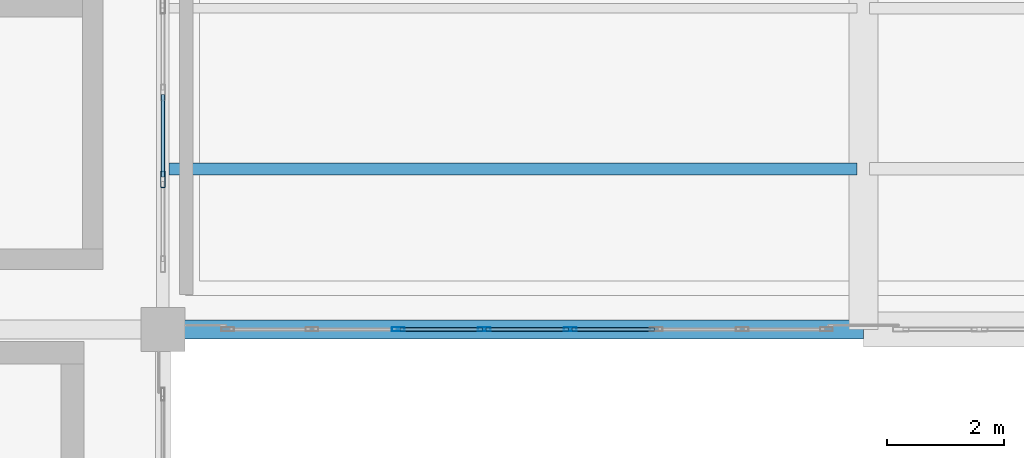
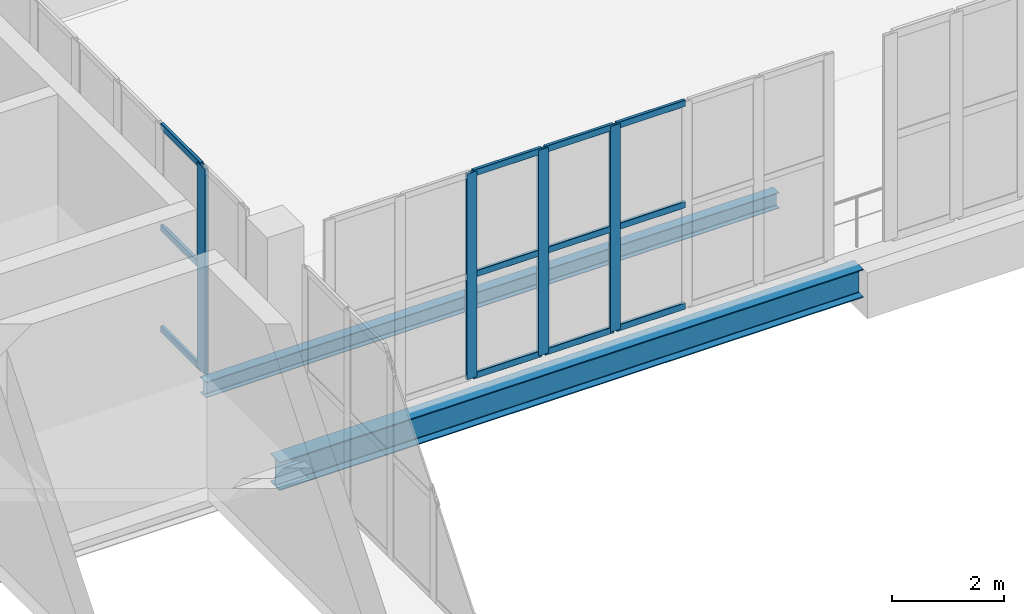
# One storey, part 61 of 136: 16 members, 2 beams, 2 elements without a shape of their own.
"""IFC4 building model written with IfcOpenShell, lengths in metres."""

from ifc_helpers import new_model, si_unit, direction, frame, origin, origin_2d, place, context, subcontext, project, spatial, hollow_rectangle, i_section, extrude, material, layer, layer_set, material_profile, profile_set, type_object, element, aggregate, save


model = new_model("IFC4")

# Units and contexts
model_context = context("Model", 3, precision=1e-05, world=origin(), true_north=direction((0.0, 1.0)))
body_context = subcontext(model_context, "Body", "Model", "MODEL_VIEW")
ifc_project = project(units=[si_unit("LENGTHUNIT", "METRE"), si_unit("AREAUNIT", "SQUARE_METRE"), si_unit("VOLUMEUNIT", "CUBIC_METRE"), si_unit("PLANEANGLEUNIT", "RADIAN"), si_unit("MASSUNIT", "GRAM", prefix="KILO")], contexts=[model_context])

# Site, building, storey
site_placement = place(None, origin())
site = spatial("IfcSite", under=ifc_project, at=site_placement, CompositionType="ELEMENT")
building_placement = place(site_placement, origin())
building = spatial("IfcBuilding", under=site, at=building_placement, Name="Brinegate Civic Arena", CompositionType="ELEMENT")
storey_placement = place(building_placement, frame((0.0, 0.0, 5.39990234375)))
storey = spatial("IfcBuildingStorey", under=building, at=storey_placement, Name="L01", CompositionType="ELEMENT", Elevation=5.39990234375)

# Curtain wall, members
ifc_material_1 = material(Name="Marine grade aluminium", Category="aluminium")
ifc_layer_1 = layer(ifc_material_1, 0.18505859375, Name="Marine grade aluminium")
ifc_layer_set_1 = layer_set([ifc_layer_1], Name="Marine grade aluminium")
curtain_wall_type_1 = type_object("IfcCurtainWallType", Name="CW-WING-GLAZED-03", PredefinedType="USERDEFINED", material=ifc_layer_set_1)
curtain_wall_1_placement = place(storey_placement, origin())
curtain_wall_1 = element("IfcCurtainWall", 1, at=curtain_wall_1_placement, inside=storey, type_object=curtain_wall_type_1, Name="Curtain Wall CWA-039", ObjectType="GLAZED CURTAIN WALL", PredefinedType="USERDEFINED")
ifc_material_profile_1 = material_profile(ifc_material_1, hollow_rectangle(XDim=0.06494140625, YDim=0.219970703125, WallThickness=0.006103515625, InnerFilletRadius=0.00390625, OuterFilletRadius=0.008056640625, at=origin_2d()), Name="MUL65X220")
ifc_profile_set_1 = profile_set([ifc_material_profile_1], Name="Marine grade aluminium")
member_type_1 = type_object("IfcMemberType", Name="CW-MULLION-65X220", PredefinedType="MULLION", material=ifc_profile_set_1)
member_1_placement = place(storey_placement, frame((172.028564453125, 20.0, 0.0), z_axis=(0.0, 0.0, 1.0), x_axis=(0.0, 1.0, 0.0)))
member_1 = element("IfcMember", 2, at=member_1_placement, type_object=member_type_1, Name="CWA-039 mullion 3", PredefinedType="MULLION", context=body_context, shape_type="SweptSolid", body=[
    extrude(hollow_rectangle(XDim=0.06494140625, YDim=0.219970703125, WallThickness=0.006103515625, InnerFilletRadius=0.00390625, OuterFilletRadius=0.008056640625, at=origin_2d()), origin(), (0.0, 0.0, 1.0), 4.47021484375),
])
member_2_placement = place(storey_placement, frame((173.5029296875, 20.0, 0.0), z_axis=(0.0, 0.0, 1.0), x_axis=(0.0, 1.0, 0.0)))
member_2 = element("IfcMember", 3, at=member_2_placement, type_object=member_type_1, Name="CWA-039 mullion 4", PredefinedType="MULLION", context=body_context, shape_type="SweptSolid", body=[
    extrude(hollow_rectangle(XDim=0.06494140625, YDim=0.219970703125, WallThickness=0.006103515625, InnerFilletRadius=0.00390625, OuterFilletRadius=0.008056640625, at=origin_2d()), origin(), (0.0, 0.0, 1.0), 4.47021484375),
])
member_3_placement = place(storey_placement, frame((174.97705078125, 20.0, 0.0), z_axis=(0.0, 0.0, 1.0), x_axis=(0.0, 1.0, 0.0)))
member_3 = element("IfcMember", 4, at=member_3_placement, type_object=member_type_1, Name="CWA-039 mullion 5", PredefinedType="MULLION", context=body_context, shape_type="SweptSolid", body=[
    extrude(hollow_rectangle(XDim=0.06494140625, YDim=0.219970703125, WallThickness=0.006103515625, InnerFilletRadius=0.00390625, OuterFilletRadius=0.008056640625, at=origin_2d()), origin(), (0.0, 0.0, 1.0), 4.47021484375),
])

# Curtain wall, member
ifc_layer_2 = layer(ifc_material_1, 0.199951171875, Name="Marine grade aluminium")
ifc_layer_set_2 = layer_set([ifc_layer_2], Name="Marine grade aluminium")
curtain_wall_type_2 = type_object("IfcCurtainWallType", Name="CW-BOWL-GLAZED-01", PredefinedType="USERDEFINED", material=ifc_layer_set_2)
curtain_wall_2_placement = place(storey_placement, origin())
curtain_wall_2 = element("IfcCurtainWall", 5, at=curtain_wall_2_placement, inside=storey, type_object=curtain_wall_type_2, Name="Curtain Wall CWA-045", ObjectType="GLAZED CURTAIN WALL", PredefinedType="USERDEFINED")
ifc_material_profile_2 = material_profile(ifc_material_1, hollow_rectangle(XDim=0.080078125, YDim=0.280029296875, WallThickness=0.007080078125, InnerFilletRadius=0.0048828125, OuterFilletRadius=0.010009765625, at=origin_2d()), Name="MUL80X280")
ifc_profile_set_2 = profile_set([ifc_material_profile_2], Name="Marine grade aluminium")
member_type_2 = type_object("IfcMemberType", Name="CW-MULLION-80X280", PredefinedType="MULLION", material=ifc_profile_set_2)
member_4_placement = place(storey_placement, frame((168.0, 22.56982421875, 0.0), z_axis=(0.0, 0.0, 1.0), x_axis=(-1.0, 0.0, 0.0)))
member_4 = element("IfcMember", 6, at=member_4_placement, type_object=member_type_2, Name="CWA-045 mullion 2", PredefinedType="MULLION", context=body_context, shape_type="SweptSolid", body=[
    extrude(hollow_rectangle(XDim=0.080078125, YDim=0.280029296875, WallThickness=0.007080078125, InnerFilletRadius=0.0048828125, OuterFilletRadius=0.010009765625, at=origin_2d()), origin(), (0.0, 0.0, 1.0), 4.47021484375),
])

# Member
ifc_material_profile_3 = material_profile(ifc_material_1, hollow_rectangle(XDim=0.06494140625, YDim=0.139892578125, WallThickness=0.0048828125, InnerFilletRadius=0.00390625, OuterFilletRadius=0.008056640625, at=origin_2d()), Name="TRN65X140")
ifc_profile_set_3 = profile_set([ifc_material_profile_3], Name="Marine grade aluminium")
member_type_3 = type_object("IfcMemberType", Name="CW-TRANSOM-65X140", PredefinedType="USERDEFINED", material=ifc_profile_set_3)
member_5_placement = place(storey_placement, frame((172.06103515625, 20.0, 0.03271484375), z_axis=(1.0, 0.0, 0.0), x_axis=(0.0, 1.0, 0.0)))
member_5 = element("IfcMember", 7, at=member_5_placement, type_object=member_type_3, Name="CWA-039 transom 3.1", ObjectType="TRANSOM", PredefinedType="USERDEFINED", context=body_context, shape_type="SweptSolid", body=[
    extrude(hollow_rectangle(XDim=0.06494140625, YDim=0.139892578125, WallThickness=0.0048828125, InnerFilletRadius=0.00390625, OuterFilletRadius=0.008056640625, at=origin_2d()), origin(), (0.0, 0.0, 1.0), 1.409423828125),
])

member_6_placement = place(storey_placement, frame((172.06103515625, 20.0, 2.235107421875), z_axis=(1.0, 0.0, 0.0), x_axis=(0.0, 1.0, 0.0)))
member_6 = element("IfcMember", 8, at=member_6_placement, type_object=member_type_3, Name="CWA-039 transom 3.2", ObjectType="TRANSOM", PredefinedType="USERDEFINED", context=body_context, shape_type="SweptSolid", body=[
    extrude(hollow_rectangle(XDim=0.06494140625, YDim=0.139892578125, WallThickness=0.0048828125, InnerFilletRadius=0.00390625, OuterFilletRadius=0.008056640625, at=origin_2d()), origin(), (0.0, 0.0, 1.0), 1.409423828125),
])

member_7_placement = place(storey_placement, frame((172.06103515625, 20.0, 4.4375), z_axis=(1.0, 0.0, 0.0), x_axis=(0.0, 1.0, 0.0)))
member_7 = element("IfcMember", 9, at=member_7_placement, type_object=member_type_3, Name="CWA-039 transom 3.3", ObjectType="TRANSOM", PredefinedType="USERDEFINED", context=body_context, shape_type="SweptSolid", body=[
    extrude(hollow_rectangle(XDim=0.06494140625, YDim=0.139892578125, WallThickness=0.0048828125, InnerFilletRadius=0.00390625, OuterFilletRadius=0.008056640625, at=origin_2d()), origin(), (0.0, 0.0, 1.0), 1.409423828125),
])

member_8_placement = place(storey_placement, frame((173.535400390625, 20.0, 0.03271484375), z_axis=(1.0, 0.0, 0.0), x_axis=(0.0, 1.0, 0.0)))
member_8 = element("IfcMember", 10, at=member_8_placement, type_object=member_type_3, Name="CWA-039 transom 4.1", ObjectType="TRANSOM", PredefinedType="USERDEFINED", context=body_context, shape_type="SweptSolid", body=[
    extrude(hollow_rectangle(XDim=0.06494140625, YDim=0.139892578125, WallThickness=0.0048828125, InnerFilletRadius=0.00390625, OuterFilletRadius=0.008056640625, at=origin_2d()), origin(), (0.0, 0.0, 1.0), 1.4091796875),
])

member_9_placement = place(storey_placement, frame((173.535400390625, 20.0, 2.235107421875), z_axis=(1.0, 0.0, 0.0), x_axis=(0.0, 1.0, 0.0)))
member_9 = element("IfcMember", 11, at=member_9_placement, type_object=member_type_3, Name="CWA-039 transom 4.2", ObjectType="TRANSOM", PredefinedType="USERDEFINED", context=body_context, shape_type="SweptSolid", body=[
    extrude(hollow_rectangle(XDim=0.06494140625, YDim=0.139892578125, WallThickness=0.0048828125, InnerFilletRadius=0.00390625, OuterFilletRadius=0.008056640625, at=origin_2d()), origin(), (0.0, 0.0, 1.0), 1.4091796875),
])

member_10_placement = place(storey_placement, frame((173.535400390625, 20.0, 4.4375), z_axis=(1.0, 0.0, 0.0), x_axis=(0.0, 1.0, 0.0)))
member_10 = element("IfcMember", 12, at=member_10_placement, type_object=member_type_3, Name="CWA-039 transom 4.3", ObjectType="TRANSOM", PredefinedType="USERDEFINED", context=body_context, shape_type="SweptSolid", body=[
    extrude(hollow_rectangle(XDim=0.06494140625, YDim=0.139892578125, WallThickness=0.0048828125, InnerFilletRadius=0.00390625, OuterFilletRadius=0.008056640625, at=origin_2d()), origin(), (0.0, 0.0, 1.0), 1.4091796875),
])

member_11_placement = place(storey_placement, frame((175.009521484375, 20.0, 0.03271484375), z_axis=(1.0, 0.0, 0.0), x_axis=(0.0, 1.0, 0.0)))
member_11 = element("IfcMember", 13, at=member_11_placement, type_object=member_type_3, Name="CWA-039 transom 5.1", ObjectType="TRANSOM", PredefinedType="USERDEFINED", context=body_context, shape_type="SweptSolid", body=[
    extrude(hollow_rectangle(XDim=0.06494140625, YDim=0.139892578125, WallThickness=0.0048828125, InnerFilletRadius=0.00390625, OuterFilletRadius=0.008056640625, at=origin_2d()), origin(), (0.0, 0.0, 1.0), 1.409423828125),
])

member_12_placement = place(storey_placement, frame((175.009521484375, 20.0, 2.235107421875), z_axis=(1.0, 0.0, 0.0), x_axis=(0.0, 1.0, 0.0)))
member_12 = element("IfcMember", 14, at=member_12_placement, type_object=member_type_3, Name="CWA-039 transom 5.2", ObjectType="TRANSOM", PredefinedType="USERDEFINED", context=body_context, shape_type="SweptSolid", body=[
    extrude(hollow_rectangle(XDim=0.06494140625, YDim=0.139892578125, WallThickness=0.0048828125, InnerFilletRadius=0.00390625, OuterFilletRadius=0.008056640625, at=origin_2d()), origin(), (0.0, 0.0, 1.0), 1.409423828125),
])

member_13_placement = place(storey_placement, frame((175.009521484375, 20.0, 4.4375), z_axis=(1.0, 0.0, 0.0), x_axis=(0.0, 1.0, 0.0)))
member_13 = element("IfcMember", 15, at=member_13_placement, type_object=member_type_3, Name="CWA-039 transom 5.3", ObjectType="TRANSOM", PredefinedType="USERDEFINED", context=body_context, shape_type="SweptSolid", body=[
    extrude(hollow_rectangle(XDim=0.06494140625, YDim=0.139892578125, WallThickness=0.0048828125, InnerFilletRadius=0.00390625, OuterFilletRadius=0.008056640625, at=origin_2d()), origin(), (0.0, 0.0, 1.0), 1.409423828125),
])

aggregate(curtain_wall_1, [member_1, member_2, member_3, member_5, member_6, member_7, member_8, member_9, member_10, member_11, member_12, member_13])

member_14_placement = place(storey_placement, frame((168.0, 22.60986328125, 0.03271484375), z_axis=(0.0, 1.0, 0.0), x_axis=(-1.0, 0.0, 0.0)))
member_14 = element("IfcMember", 16, at=member_14_placement, type_object=member_type_3, Name="CWA-045 transom 2.1", ObjectType="TRANSOM", PredefinedType="USERDEFINED", context=body_context, shape_type="SweptSolid", body=[
    extrude(hollow_rectangle(XDim=0.06494140625, YDim=0.139892578125, WallThickness=0.0048828125, InnerFilletRadius=0.00390625, OuterFilletRadius=0.008056640625, at=origin_2d()), origin(), (0.0, 0.0, 1.0), 1.409912109375),
])

member_15_placement = place(storey_placement, frame((168.0, 22.60986328125, 2.235107421875), z_axis=(0.0, 1.0, 0.0), x_axis=(-1.0, 0.0, 0.0)))
member_15 = element("IfcMember", 17, at=member_15_placement, type_object=member_type_3, Name="CWA-045 transom 2.2", ObjectType="TRANSOM", PredefinedType="USERDEFINED", context=body_context, shape_type="SweptSolid", body=[
    extrude(hollow_rectangle(XDim=0.06494140625, YDim=0.139892578125, WallThickness=0.0048828125, InnerFilletRadius=0.00390625, OuterFilletRadius=0.008056640625, at=origin_2d()), origin(), (0.0, 0.0, 1.0), 1.409912109375),
])

member_16_placement = place(storey_placement, frame((168.0, 22.60986328125, 4.4375), z_axis=(0.0, 1.0, 0.0), x_axis=(-1.0, 0.0, 0.0)))
member_16 = element("IfcMember", 18, at=member_16_placement, type_object=member_type_3, Name="CWA-045 transom 2.3", ObjectType="TRANSOM", PredefinedType="USERDEFINED", context=body_context, shape_type="SweptSolid", body=[
    extrude(hollow_rectangle(XDim=0.06494140625, YDim=0.139892578125, WallThickness=0.0048828125, InnerFilletRadius=0.00390625, OuterFilletRadius=0.008056640625, at=origin_2d()), origin(), (0.0, 0.0, 1.0), 1.409912109375),
])

aggregate(curtain_wall_2, [member_4, member_14, member_15, member_16])

# Beams
ifc_material_2 = material(Name="Steel S355", Category="steel")
ifc_material_profile_4 = material_profile(ifc_material_2, i_section(OverallWidth=0.324951171875, OverallDepth=0.615966796875, WebThickness=0.013916015625, FlangeThickness=0.02197265625, FilletRadius=0.01611328125, at=origin_2d()), Name="W610X174")
ifc_profile_set_4 = profile_set([ifc_material_profile_4], Name="Steel S355")
beam_type_1 = type_object("IfcBeamType", Name="GIRDER-W610X174", PredefinedType="BEAM", material=ifc_profile_set_4)
beam_1_placement = place(storey_placement, frame((168.0, 20.0, -0.64794921875), z_axis=(1.0, 0.0, 0.0), x_axis=(0.0, 1.0, 0.0)))
element("IfcBeam", 19, at=beam_1_placement, inside=storey, type_object=beam_type_1, Name="Floor Girder BM-L01-GX-14-02", PredefinedType="BEAM", context=body_context, shape_type="SweptSolid", body=[
    extrude(i_section(OverallWidth=0.324951171875, OverallDepth=0.615966796875, WebThickness=0.013916015625, FlangeThickness=0.02197265625, FilletRadius=0.01611328125, at=origin_2d()), origin(), (0.0, 0.0, 1.0), 12.0),
])
ifc_material_profile_5 = material_profile(ifc_material_2, i_section(OverallWidth=0.202880859375, OverallDepth=0.346923828125, WebThickness=0.008056640625, FlangeThickness=0.013916015625, FilletRadius=0.013916015625, at=origin_2d()), Name="W360X64")
ifc_profile_set_5 = profile_set([ifc_material_profile_5], Name="Steel S355")
beam_type_2 = type_object("IfcBeamType", Name="JOIST-W360X64", PredefinedType="JOIST", material=ifc_profile_set_5)
beam_2_placement = place(storey_placement, frame((168.10595703125, 22.75, -0.512939453125), z_axis=(1.0, 0.0, 0.0), x_axis=(0.0, 1.0, 0.0)))
element("IfcBeam", 20, at=beam_2_placement, inside=storey, type_object=beam_type_2, Name="Secondary Joist BM-L01-JX-14-02-1", PredefinedType="JOIST", context=body_context, shape_type="SweptSolid", body=[
    extrude(i_section(OverallWidth=0.202880859375, OverallDepth=0.346923828125, WebThickness=0.008056640625, FlangeThickness=0.013916015625, FilletRadius=0.013916015625, at=origin_2d()), origin(), (0.0, 0.0, 1.0), 11.7880859375),
])

save(model, "model.ifc")
